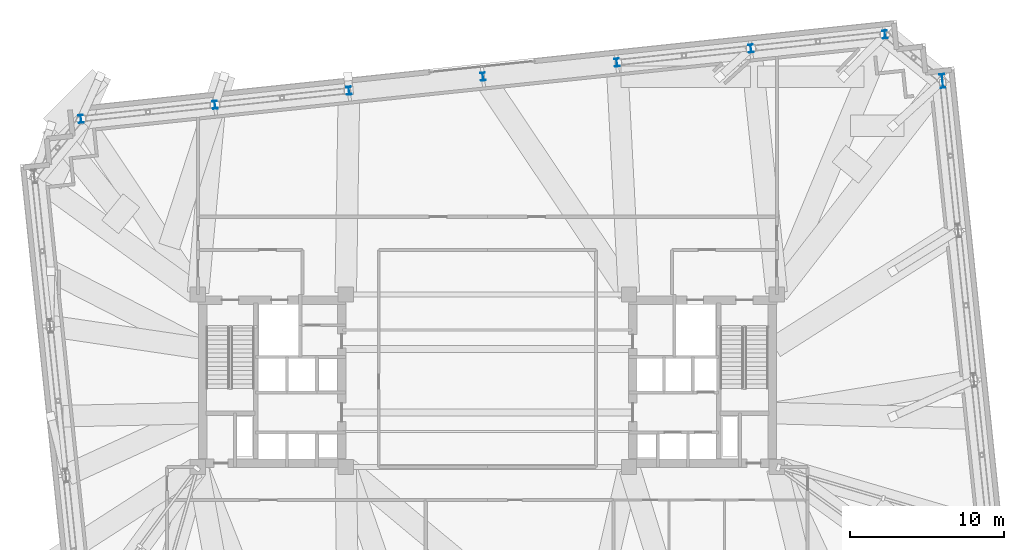
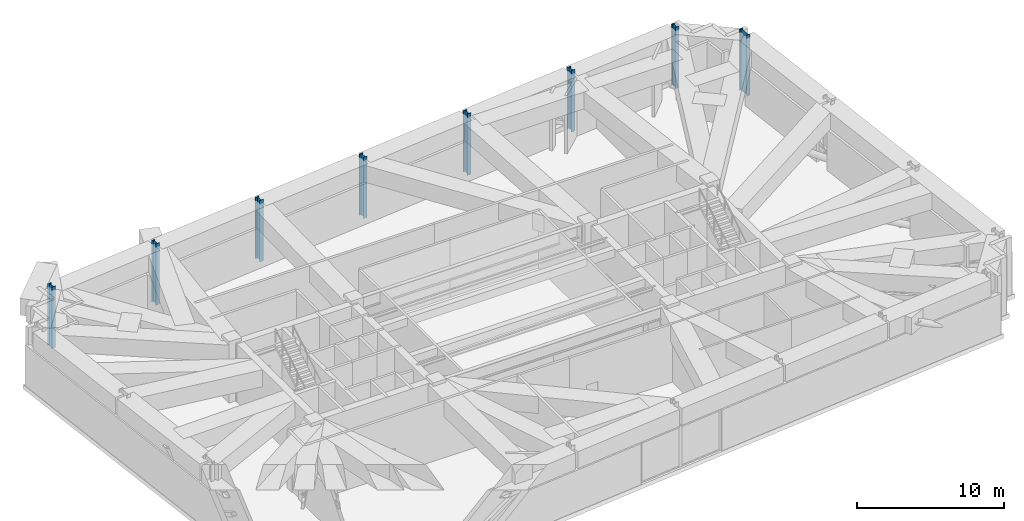
# One storey, part 3 of 23: 8 columns.
"""IFC4 building model written with IfcOpenShell, lengths in metres."""

from ifc_helpers import new_model, si_unit, direction, frame, origin, origin_2d, place, context, subcontext, project, spatial, i_section, extrude, material, material_profile, profile_set, type_object, element, save


model = new_model("IFC4")

# Units and contexts
model_context = context("Model", 3, precision=1e-05, world=origin(), true_north=direction((0.0, 1.0)))
body_context = subcontext(model_context, "Body", "Model", "MODEL_VIEW")
ifc_project = project(units=[si_unit("LENGTHUNIT", "METRE"), si_unit("AREAUNIT", "SQUARE_METRE"), si_unit("VOLUMEUNIT", "CUBIC_METRE"), si_unit("PLANEANGLEUNIT", "RADIAN"), si_unit("MASSUNIT", "GRAM", prefix="KILO")], contexts=[model_context])

# Site, building, storey
site_placement = place(None, origin())
site = spatial("IfcSite", under=ifc_project, at=site_placement, CompositionType="ELEMENT")
building_placement = place(site_placement, origin())
building = spatial("IfcBuilding", under=site, at=building_placement, Name="Qobustan Lattice House", CompositionType="ELEMENT")
storey_placement = place(building_placement, frame((0.0, 0.0, 125.89990234375)))
storey = spatial("IfcBuildingStorey", under=building, at=storey_placement, Name="L35", CompositionType="ELEMENT", Elevation=125.89990234375)

# Columns
ifc_material_1 = material(Name="Steel S355", Category="steel")
ifc_material_profile_1 = material_profile(ifc_material_1, i_section(OverallWidth=0.300048828125, OverallDepth=0.89990234375, WebThickness=0.0185546875, FlangeThickness=0.034912109375, FilletRadius=0.030029296875, at=origin_2d()), Name="HEB900")
ifc_profile_set_1 = profile_set([ifc_material_profile_1], Name="Steel S355")
column_type_1 = type_object("IfcColumnType", Name="COL-ST-HEB900", PredefinedType="COLUMN", material=ifc_profile_set_1)
column_placement = place(storey_placement, frame((29.55615234375, 19.468994140625, 0.0), z_axis=(0.0, 0.0, 1.0), x_axis=(0.994521895368, 0.104528463268, 0.0)))
element("IfcColumn", 1, at=column_placement, inside=storey, type_object=column_type_1, Name="L35 B2 perimeter column E4", PredefinedType="COLUMN", context=body_context, shape_type="SweptSolid", body=[
    extrude(i_section(OverallWidth=0.300048828125, OverallDepth=0.89990234375, WebThickness=0.0185546875, FlangeThickness=0.034912109375, FilletRadius=0.030029296875, at=origin_2d()), origin(), (0.0, 0.0, 1.0), 5.10009765625),
])
ifc_material_2 = material(Name="Steel S355", Category="steel")
ifc_material_profile_2 = material_profile(ifc_material_2, i_section(OverallWidth=0.305908203125, OverallDepth=0.52392578125, WebThickness=0.02099609375, FlangeThickness=0.0400390625, FilletRadius=0.027099609375, at=origin_2d()), Name="HEM500")
ifc_profile_set_2 = profile_set([ifc_material_profile_2], Name="Steel S355")
column_type_2 = type_object("IfcColumnType", Name="COL-ST-HEM500", PredefinedType="COLUMN", material=ifc_profile_set_2)
for number, where, z_axis, x_axis, name in (
    (2, (25.819580078125, 22.4951171875, 0.0), (0.0, 0.0, 1.0), (0.994521895368, 0.104528463268, 0.0), "L35 B2 perimeter column N1"),
    (3, (17.117431640625, 21.580322265625, 0.0), (0.0, 0.0, 1.0), (0.994521895368, 0.104528463268, 0.0), "L35 B2 perimeter column N2"),
    (4, (8.415283203125, 20.665771484375, 0.0), (0.0, 0.0, 1.0), (0.994521895368, 0.104528463268, 0.0), "L35 B2 perimeter column N3"),
    (5, (-0.28662109375, 19.751220703125, 0.0), (0.0, 0.0, 1.0), (0.994521895368, 0.104528463268, 0.0), "L35 B2 perimeter column N4"),
    (6, (-8.98876953125, 18.83642578125, 0.0), (0.0, 0.0, 1.0), (0.994521895368, 0.104528463268, 0.0), "L35 B2 perimeter column N5"),
    (7, (-17.69091796875, 17.921875, 0.0), (0.0, 0.0, 1.0), (0.994521895368, 0.104528463268, 0.0), "L35 B2 perimeter column N6"),
    (8, (-26.392822265625, 17.007080078125, 0.0), (0.0, 0.0, 1.0), (0.994521895368, 0.104528463268, 0.0), "L35 B2 perimeter column N7"),
):
    element("IfcColumn", number, at=place(storey_placement, frame(where, z_axis=z_axis, x_axis=x_axis)), inside=storey, type_object=column_type_2, Name=name, PredefinedType="COLUMN", context=body_context, shape_type="SweptSolid", body=[
        extrude(i_section(OverallWidth=0.305908203125, OverallDepth=0.52392578125, WebThickness=0.02099609375, FlangeThickness=0.0400390625, FilletRadius=0.027099609375, at=origin_2d()), origin(), (0.0, 0.0, 1.0), 5.10009765625),
    ])

save(model, "model.ifc")
